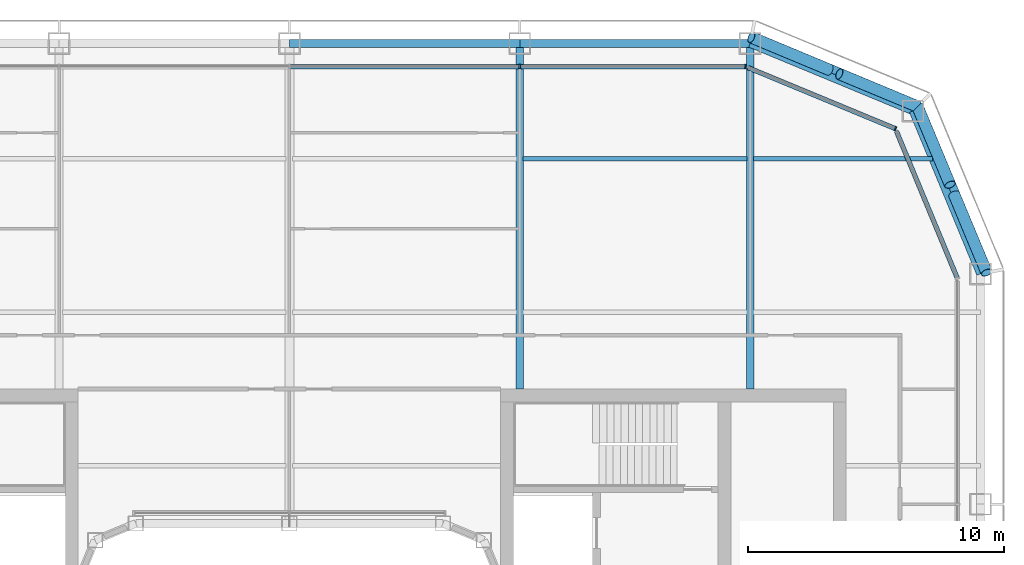
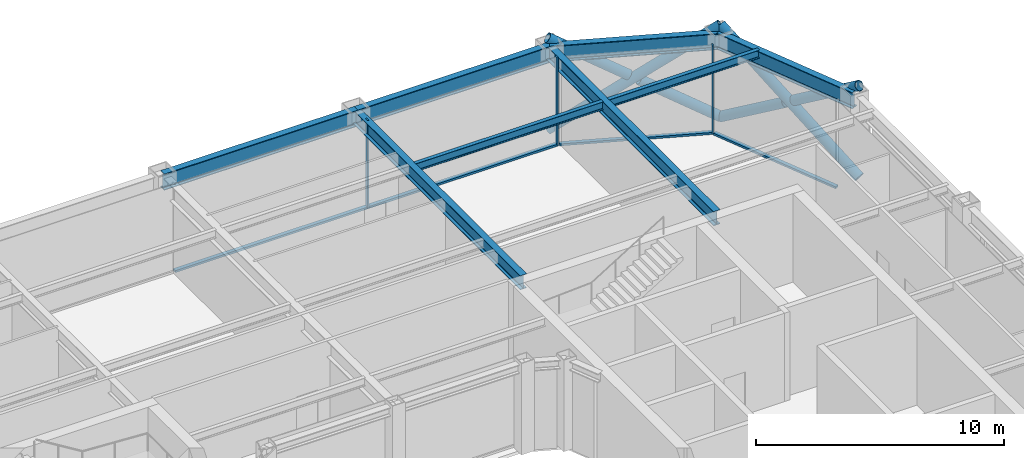
# One storey, part 10 of 23: 13 members, 8 beams, 3 elements without a shape of their own.
"""IFC4 building model written with IfcOpenShell, lengths in metres."""

from ifc_helpers import new_model, si_unit, direction, frame, origin, origin_2d, place, context, subcontext, project, spatial, rectangle, hollow_circle, i_section, extrude, material, layer, layer_set, material_profile, profile_set, type_object, element, aggregate, save


model = new_model("IFC4")

# Units and contexts
model_context = context("Model", 3, precision=1e-05, world=origin(), true_north=direction((0.0, 1.0)))
body_context = subcontext(model_context, "Body", "Model", "MODEL_VIEW")
ifc_project = project(units=[si_unit("LENGTHUNIT", "METRE"), si_unit("AREAUNIT", "SQUARE_METRE"), si_unit("VOLUMEUNIT", "CUBIC_METRE"), si_unit("PLANEANGLEUNIT", "RADIAN"), si_unit("MASSUNIT", "GRAM", prefix="KILO")], contexts=[model_context])

# Site, building, storey
site_placement = place(None, origin())
site = spatial("IfcSite", under=ifc_project, at=site_placement, CompositionType="ELEMENT")
building_placement = place(site_placement, origin())
building = spatial("IfcBuilding", under=site, at=building_placement, Name="Siwar Civic Tower", CompositionType="ELEMENT")
storey_placement = place(building_placement, frame((0.0, 0.0, 233.199951171875)))
storey = spatial("IfcBuildingStorey", under=building, at=storey_placement, Name="L50", CompositionType="ELEMENT", Elevation=233.199951171875)

# Curtain wall, member
ifc_material_1 = material(Name="Aluminium clad insulated panel", Category="aluminium")
ifc_layer_1 = layer(ifc_material_1, 0.179931640625)
ifc_layer_set_1 = layer_set([ifc_layer_1], Name="Aluminium clad insulated panel")
curtain_wall_type_1 = type_object("IfcCurtainWallType", Name="ENV-CW-CX", PredefinedType="NOTDEFINED", material=ifc_layer_set_1)
curtain_wall_1_placement = place(storey_placement, origin())
curtain_wall_1 = element("IfcCurtainWall", 1, at=curtain_wall_1_placement, inside=storey, type_object=curtain_wall_type_1, Name="Curtain wall C NE2", PredefinedType="NOTDEFINED")
ifc_material_2 = material(Name="Aluminium 6063-T6", Category="aluminium")
ifc_material_profile_1 = material_profile(ifc_material_2, rectangle(XDim=0.179931640625, YDim=0.06005859375, at=origin_2d()), Name="AL 180x60")
ifc_profile_set_1 = profile_set([ifc_material_profile_1], Name="Aluminium 6063-T6")
member_type_1 = type_object("IfcMemberType", Name="ENV-MULLION-C", PredefinedType="MULLION", material=ifc_profile_set_1)
member_1_placement = place(storey_placement, frame((23.675048828125, 23.675048828125, 0.0), z_axis=(0.0, 0.0, 1.0), x_axis=(-0.382683432365, -0.923879532511, 0.0)))
member_1 = element("IfcMember", 2, at=member_1_placement, type_object=member_type_1, Name="Mullion C NE2 1", PredefinedType="MULLION", context=body_context, shape_type="SweptSolid", body=[
    extrude(rectangle(XDim=0.179931640625, YDim=0.06005859375, at=origin_2d()), origin(), (0.0, 0.0, 1.0), 4.35009765625),
])

# Curtain wall, members
ifc_material_3 = material(Name="Aluminium and glass", Category="aluminium")
ifc_layer_2 = layer(ifc_material_3, 0.179931640625)
ifc_layer_set_2 = layer_set([ifc_layer_2], Name="Aluminium and glass")
curtain_wall_type_2 = type_object("IfcCurtainWallType", Name="ENV-CW-C", PredefinedType="NOTDEFINED", material=ifc_layer_set_2)
curtain_wall_2_placement = place(storey_placement, origin())
curtain_wall_2 = element("IfcCurtainWall", 3, at=curtain_wall_2_placement, inside=storey, type_object=curtain_wall_type_2, Name="Curtain wall C N", PredefinedType="NOTDEFINED")
member_2_placement = place(storey_placement, frame((17.821044921875, 26.10009765625, 0.0), z_axis=(0.0, 0.0, 1.0), x_axis=(0.0, -1.0, 0.0)))
member_2 = element("IfcMember", 4, at=member_2_placement, type_object=member_type_1, Name="Mullion C N 1", PredefinedType="MULLION", context=body_context, shape_type="SweptSolid", body=[
    extrude(rectangle(XDim=0.179931640625, YDim=0.06005859375, at=origin_2d()), origin(), (0.0, 0.0, 1.0), 4.35009765625),
])
member_3_placement = place(storey_placement, frame((9.0, 26.10009765625, 0.0), z_axis=(0.0, 0.0, 1.0), x_axis=(0.0, -1.0, 0.0)))
member_3 = element("IfcMember", 5, at=member_3_placement, type_object=member_type_1, Name="Mullion C N 2", PredefinedType="MULLION", context=body_context, shape_type="SweptSolid", body=[
    extrude(rectangle(XDim=0.179931640625, YDim=0.06005859375, at=origin_2d()), origin(), (0.0, 0.0, 1.0), 4.35009765625),
])

# Curtain wall, member
curtain_wall_3_placement = place(storey_placement, origin())
curtain_wall_3 = element("IfcCurtainWall", 6, at=curtain_wall_3_placement, inside=storey, type_object=curtain_wall_type_1, Name="Curtain wall C NE1", PredefinedType="NOTDEFINED")
ifc_material_4 = material(Name="Aluminium 6063-T6", Category="aluminium")
ifc_material_profile_2 = material_profile(ifc_material_4, rectangle(XDim=0.179931640625, YDim=0.10009765625, at=origin_2d()), Name="AL 180x100")
ifc_profile_set_2 = profile_set([ifc_material_profile_2], Name="Aluminium 6063-T6")
member_type_2 = type_object("IfcMemberType", Name="ENV-TRANSOM-C", PredefinedType="USERDEFINED", material=ifc_profile_set_2)
member_4_placement = place(storey_placement, frame((26.088623046875, 17.8486328125, 0.050048828125), z_axis=(-0.38267744817, 0.923882011223, 0.0), x_axis=(-0.923882011223, -0.38267744817, 0.0)))
member_4 = element("IfcMember", 7, at=member_4_placement, type_object=member_type_2, Name="Transom C NE1 1", ObjectType="TRANSOM", PredefinedType="USERDEFINED", context=body_context, shape_type="SweptSolid", body=[
    extrude(rectangle(XDim=0.179931640625, YDim=0.10009765625, at=origin_2d()), origin(), (0.0, 0.0, 1.0), 6.201904296875),
])
aggregate(curtain_wall_3, [member_4])

# Member
member_5_placement = place(storey_placement, frame((23.6474609375, 23.6865234375, 0.050048828125), z_axis=(-0.923876246063, 0.382691366456, 0.0), x_axis=(-0.382691366456, -0.923876246063, 0.0)))
member_5 = element("IfcMember", 8, at=member_5_placement, type_object=member_type_2, Name="Transom C NE2 1", ObjectType="TRANSOM", PredefinedType="USERDEFINED", context=body_context, shape_type="SweptSolid", body=[
    extrude(rectangle(XDim=0.179931640625, YDim=0.10009765625, at=origin_2d()), origin(), (0.0, 0.0, 1.0), 6.20166015625),
])

aggregate(curtain_wall_1, [member_1, member_5])

member_6_placement = place(storey_placement, frame((17.791015625, 26.10009765625, 0.050048828125), z_axis=(-1.0, 0.0, 0.0), x_axis=(0.0, -1.0, 0.0)))
member_6 = element("IfcMember", 9, at=member_6_placement, type_object=member_type_2, Name="Transom C N 1", ObjectType="TRANSOM", PredefinedType="USERDEFINED", context=body_context, shape_type="SweptSolid", body=[
    extrude(rectangle(XDim=0.179931640625, YDim=0.10009765625, at=origin_2d()), origin(), (0.0, 0.0, 1.0), 8.760986328125),
])

member_7_placement = place(storey_placement, frame((8.969970703125, 26.10009765625, 0.050048828125), z_axis=(-1.0, 0.0, 0.0), x_axis=(0.0, -1.0, 0.0)))
member_7 = element("IfcMember", 10, at=member_7_placement, type_object=member_type_2, Name="Transom C N 2", ObjectType="TRANSOM", PredefinedType="USERDEFINED", context=body_context, shape_type="SweptSolid", body=[
    extrude(rectangle(XDim=0.179931640625, YDim=0.10009765625, at=origin_2d()), origin(), (0.0, 0.0, 1.0), 8.93994140625),
])

aggregate(curtain_wall_2, [member_2, member_3, member_6, member_7])

# Members
ifc_material_5 = material(Name="Steel S355", Category="steel")
ifc_material_profile_3 = material_profile(ifc_material_5, hollow_circle(Radius=0.228515625, WallThickness=0.02001953125, at=origin_2d()), Name="CHS457x20")
ifc_profile_set_3 = profile_set([ifc_material_profile_3], Name="Steel S355")
member_type_3 = type_object("IfcMemberType", Name="STR-BR-CHS457x20", PredefinedType="BRACE", material=ifc_profile_set_3)
member_8_placement = place(storey_placement, frame((18.048828125, 27.2451171875, 0.0), z_axis=(0.777554562952, -0.323905527954, 0.538975055633), x_axis=(0.384538969033, 0.923108759191, 0.0)))
element("IfcMember", 11, at=member_8_placement, inside=storey, type_object=member_type_3, Name="L50/brc/CNE1-10-0-1", PredefinedType="BRACE", context=body_context, shape_type="SweptSolid", body=[
    extrude(hollow_circle(Radius=0.228515625, WallThickness=0.02001953125, at=origin_2d()), origin(), (0.0, 0.0, 1.0), 8.34912109375),
])
for number, where, z_axis, x_axis, name in (
    (12, (24.540771484375, 24.540771484375, 0.0), (-0.777546448489, 0.323884455881, 0.538999424564), (-0.38452107079, -0.92311621485, 0.0), "L50/brc/CNE1-10-0-2"),
    (13, (21.10302734375, 25.972900390625, 2.383056640625), (-0.777572496853, 0.323895306243, 0.538955325357), (-0.38452107079, -0.92311621485, 0.0), "L50/brc/CNE1-10-0-3"),
):
    element("IfcMember", number, at=place(storey_placement, frame(where, z_axis=z_axis, x_axis=x_axis)), inside=storey, type_object=member_type_3, Name=name, PredefinedType="BRACE", context=body_context, shape_type="SweptSolid", body=[
        extrude(hollow_circle(Radius=0.228515625, WallThickness=0.02001953125, at=origin_2d()), origin(), (0.0, 0.0, 1.0), 3.927978515625),
    ])
member_9_placement = place(storey_placement, frame((27.2451171875, 18.048828125, 0.0), z_axis=(-0.323905527954, 0.777554562952, 0.538975055633), x_axis=(-0.923108759191, -0.384538969033, 0.0)))
element("IfcMember", 14, at=member_9_placement, inside=storey, type_object=member_type_3, Name="L50/brc/CNE1-10-0-0", PredefinedType="BRACE", context=body_context, shape_type="SweptSolid", body=[
    extrude(hollow_circle(Radius=0.228515625, WallThickness=0.02001953125, at=origin_2d()), origin(), (0.0, 0.0, 1.0), 8.34912109375),
])
for number, where, z_axis, x_axis, name in (
    (15, (24.540771484375, 24.540771484375, 0.0), (0.323884455881, -0.777546448489, 0.538999424564), (0.92311621485, 0.38452107079, 0.0), "L50/brc/CNE1-10-0-4"),
    (16, (25.972900390625, 21.10302734375, 2.383056640625), (0.323895306243, -0.777572496853, 0.538955325357), (0.92311621485, 0.38452107079, 0.0), "L50/brc/CNE1-10-0-5"),
):
    element("IfcMember", number, at=place(storey_placement, frame(where, z_axis=z_axis, x_axis=x_axis)), inside=storey, type_object=member_type_3, Name=name, PredefinedType="BRACE", context=body_context, shape_type="SweptSolid", body=[
        extrude(hollow_circle(Radius=0.228515625, WallThickness=0.02001953125, at=origin_2d()), origin(), (0.0, 0.0, 1.0), 3.927978515625),
    ])

# Beams
ifc_material_6 = material(Name="Steel S355", Category="steel")
ifc_material_profile_4 = material_profile(ifc_material_6, i_section(OverallWidth=0.179931640625, OverallDepth=0.39990234375, WebThickness=0.008544921875, FlangeThickness=0.013427734375, FilletRadius=0.02099609375, at=origin_2d()), Name="IPE400")
ifc_profile_set_4 = profile_set([ifc_material_profile_4], Name="Steel S355")
beam_type_1 = type_object("IfcBeamType", Name="STR-FB-IPE400", PredefinedType="JOIST", material=ifc_profile_set_4)
beam_1_placement = place(storey_placement, frame((9.1298828125, 22.5, 4.150146484375), z_axis=(1.0, 0.0, 0.0), x_axis=(0.0, 1.0, 0.0)))
element("IfcBeam", 17, at=beam_1_placement, inside=storey, type_object=beam_type_1, Name="L50/bm/F041", PredefinedType="JOIST", context=body_context, shape_type="SweptSolid", body=[
    extrude(i_section(OverallWidth=0.179931640625, OverallDepth=0.39990234375, WebThickness=0.008544921875, FlangeThickness=0.013427734375, FilletRadius=0.02099609375, at=origin_2d()), origin(), (0.0, 0.0, 1.0), 8.740234375),
])
beam_2_placement = place(storey_placement, frame((18.1298828125, 22.5, 4.150146484375), z_axis=(1.0, 0.0, 0.0), x_axis=(0.0, 1.0, 0.0)))
element("IfcBeam", 18, at=beam_2_placement, inside=storey, type_object=beam_type_1, Name="L50/bm/F042", PredefinedType="JOIST", context=body_context, shape_type="SweptSolid", body=[
    extrude(i_section(OverallWidth=0.179931640625, OverallDepth=0.39990234375, WebThickness=0.008544921875, FlangeThickness=0.013427734375, FilletRadius=0.02099609375, at=origin_2d()), origin(), (0.0, 0.0, 1.0), 7.006103515625),
])
ifc_material_7 = material(Name="Steel S355", Category="steel")
ifc_material_profile_5 = material_profile(ifc_material_7, i_section(OverallWidth=0.300048828125, OverallDepth=0.699951171875, WebThickness=0.01708984375, FlangeThickness=0.031982421875, FilletRadius=0.027099609375, at=origin_2d()), Name="HEB700")
ifc_profile_set_5 = profile_set([ifc_material_profile_5], Name="Steel S355")
beam_type_2 = type_object("IfcBeamType", Name="STR-PG-HEB700", PredefinedType="BEAM", material=ifc_profile_set_5)
for number, where, z_axis, x_axis, name in (
    (19, (9.0, 13.5, 4.0), (0.0, 1.0, 0.0), (-1.0, 0.0, 0.0), "L50/bm/G08"),
    (20, (18.0, 13.5, 4.0), (0.0, 1.0, 0.0), (-1.0, 0.0, 0.0), "L50/bm/G10"),
):
    element("IfcBeam", number, at=place(storey_placement, frame(where, z_axis=z_axis, x_axis=x_axis)), inside=storey, type_object=beam_type_2, Name=name, PredefinedType="BEAM", context=body_context, shape_type="SweptSolid", body=[
        extrude(i_section(OverallWidth=0.300048828125, OverallDepth=0.699951171875, WebThickness=0.01708984375, FlangeThickness=0.031982421875, FilletRadius=0.027099609375, at=origin_2d()), origin(), (0.0, 0.0, 1.0), 13.5),
    ])
ifc_material_8 = material(Name="Steel S355", Category="steel")
ifc_material_profile_6 = material_profile(ifc_material_8, i_section(OverallWidth=0.300048828125, OverallDepth=0.800048828125, WebThickness=0.017578125, FlangeThickness=0.032958984375, FilletRadius=0.030029296875, at=origin_2d()), Name="HEB800")
ifc_profile_set_6 = profile_set([ifc_material_profile_6], Name="Steel S355")
beam_type_3 = type_object("IfcBeamType", Name="STR-SB-HEB800", PredefinedType="BEAM", material=ifc_profile_set_6)
for number, where, z_axis, x_axis, name in (
    (21, (27.0, 18.0, 3.949951171875), (-0.382674207535, 0.923883353507, 0.0), (-0.923883353507, -0.382674207535, 0.0), "L50/bm/SNE1-0"),
    (22, (24.364013671875, 24.364013671875, 3.949951171875), (-0.923883353507, 0.382674207535, 0.0), (-0.382674207535, -0.923883353507, 0.0), "L50/bm/SNE2-0"),
):
    element("IfcBeam", number, at=place(storey_placement, frame(where, z_axis=z_axis, x_axis=x_axis)), inside=storey, type_object=beam_type_3, Name=name, PredefinedType="BEAM", context=body_context, shape_type="SweptSolid", body=[
        extrude(i_section(OverallWidth=0.300048828125, OverallDepth=0.800048828125, WebThickness=0.017578125, FlangeThickness=0.032958984375, FilletRadius=0.030029296875, at=origin_2d()), origin(), (0.0, 0.0, 1.0), 6.888427734375),
    ])
for number, where, z_axis, x_axis, name in (
    (23, (18.0, 27.0, 3.949951171875), (-1.0, 0.0, 0.0), (0.0, -1.0, 0.0), "L50/bm/SN-0"),
    (24, (9.0, 27.0, 3.949951171875), (-1.0, 0.0, 0.0), (0.0, -1.0, 0.0), "L50/bm/SN-1"),
):
    element("IfcBeam", number, at=place(storey_placement, frame(where, z_axis=z_axis, x_axis=x_axis)), inside=storey, type_object=beam_type_3, Name=name, PredefinedType="BEAM", context=body_context, shape_type="SweptSolid", body=[
        extrude(i_section(OverallWidth=0.300048828125, OverallDepth=0.800048828125, WebThickness=0.017578125, FlangeThickness=0.032958984375, FilletRadius=0.030029296875, at=origin_2d()), origin(), (0.0, 0.0, 1.0), 9.0),
    ])

save(model, "model.ifc")
